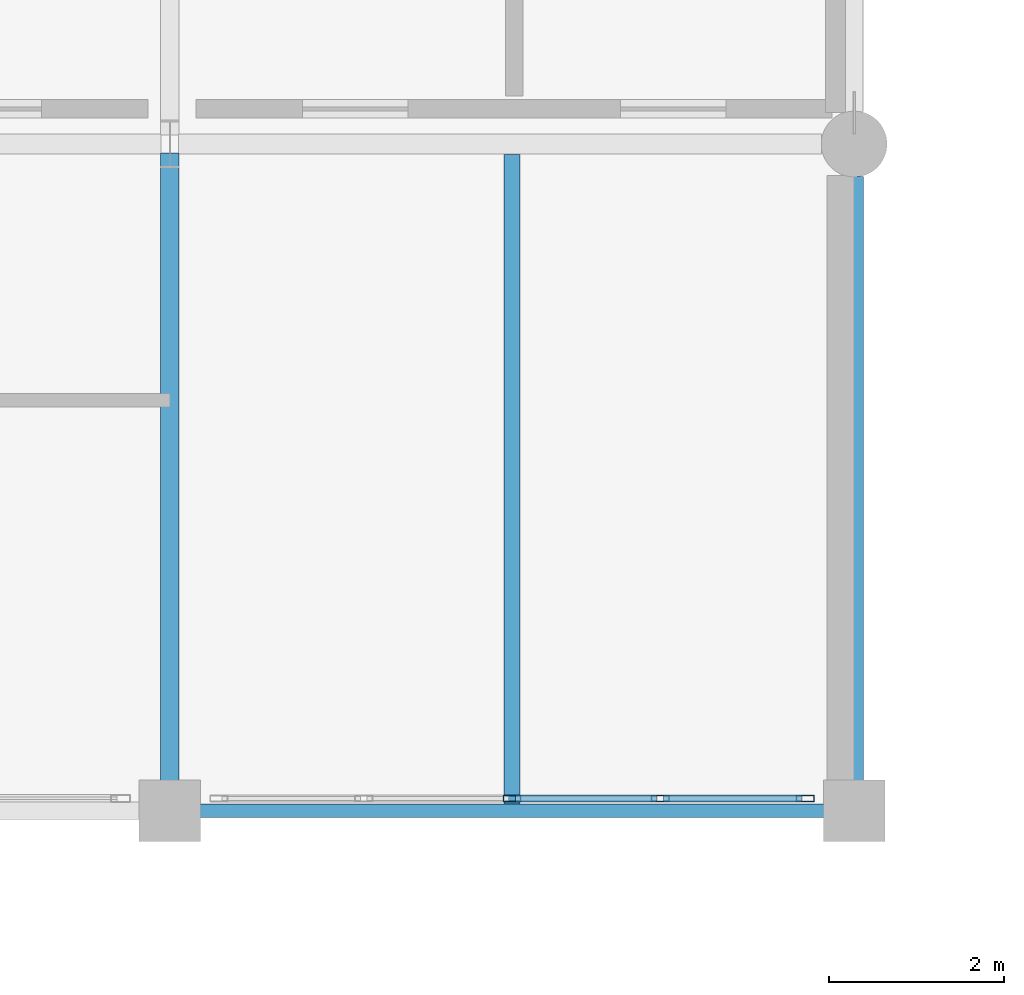
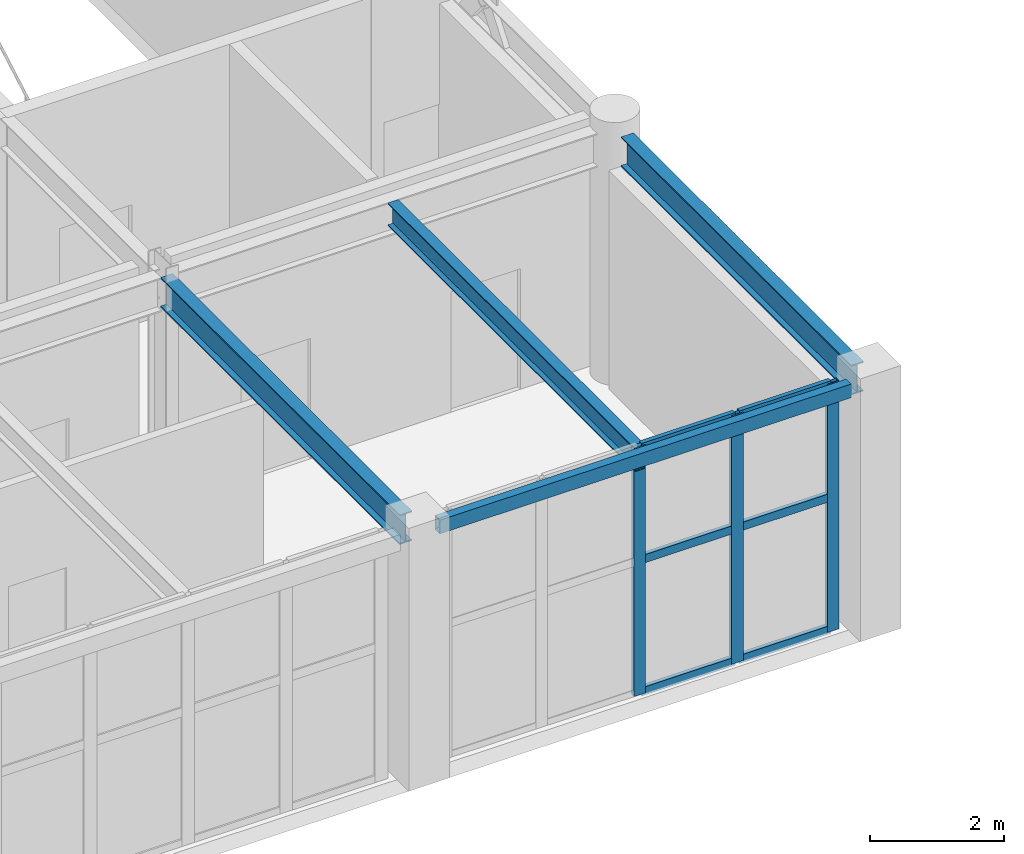
# One storey, part 43 of 72: 9 members, 4 beams, 1 element without a shape of its own.
"""IFC4 building model written with IfcOpenShell, lengths in metres."""

import ifcopenshell
import ifcopenshell.guid

model = None  # the IFC model being written
_history = None  # IfcOwnerHistory: only IFC2X3 demands one
_inside = {}  # id of a spatial element -> (the spatial element, [elements in it])
_under = {}  # id of a project, library or spatial element -> (it, [spatial elements below it])
_declared = {}  # id of a project -> (the project, [libraries it declares])
_typed = {}  # id of a type object -> (the type object, [elements of that type])
_made_of = {}  # id of a material, layer set ... -> (it, [elements and type objects made of it])


def new_model(schema):
    """Start an empty IFC model of exactly this schema.

    Asked for "IFC4X3", IfcOpenShell would pick the latest addendum, in which some entities
    have other attributes; the version numbers below select the first issue.
    IFC2X3 requires an IfcOwnerHistory on every rooted entity: one is made here for all.
    """
    global model, _history
    if schema == "IFC4X3":
        model = ifcopenshell.file(schema_version=(4, 3, 0, 0))
    else:
        model = ifcopenshell.file(schema=schema)
    _inside.clear()
    _under.clear()
    _declared.clear()
    _typed.clear()
    _made_of.clear()
    _history = None
    if model.schema == "IFC2X3":
        org = make("IfcOrganization", Name="unknown")
        user = make(
            "IfcPersonAndOrganization",
            ThePerson=make("IfcPerson", FamilyName="unknown"),
            TheOrganization=org,
        )
        app = make(
            "IfcApplication",
            ApplicationDeveloper=org,
            Version="unknown",
            ApplicationFullName="unknown",
            ApplicationIdentifier="unknown",
        )
        _history = make(
            "IfcOwnerHistory",
            OwningUser=user,
            OwningApplication=app,
            ChangeAction="ADDED",
            CreationDate=0,
        )
    return model


def make(cls, **values):
    """One entity of the class cls with the attributes given. An attribute that is None is left unset."""
    return model.create_entity(
        cls, **{name: value for name, value in values.items() if value is not None}
    )


def rooted(cls, **values):
    """An entity with a GlobalId (a new one), such as an element, a storey or a relation."""
    return make(cls, GlobalId=ifcopenshell.guid.new(), OwnerHistory=_history, **values)


def si_unit(unit_type, name, prefix=None):
    """IfcSIUnit, for example si_unit("LENGTHUNIT", "METRE", prefix="MILLI")."""
    return make("IfcSIUnit", UnitType=unit_type, Prefix=prefix, Name=name)


def assignment(units):
    """IfcUnitAssignment: the units of a project."""
    return None if units is None else make("IfcUnitAssignment", Units=units)


def point(xyz):
    """IfcCartesianPoint."""
    return None if xyz is None else make("IfcCartesianPoint", Coordinates=xyz)


def direction(xyz):
    """IfcDirection."""
    return None if xyz is None else make("IfcDirection", DirectionRatios=xyz)


def frame(location, z_axis=None, x_axis=None):
    """IfcAxis2Placement3D, a coordinate frame: its origin and axes. An axis left out is left unset."""
    return make(
        "IfcAxis2Placement3D",
        Location=point(location),
        Axis=direction(z_axis),
        RefDirection=direction(x_axis),
    )


def frame_2d(location, x_axis=None):
    """IfcAxis2Placement2D, a coordinate frame in the plane: its origin and x axis."""
    return make(
        "IfcAxis2Placement2D", Location=point(location), RefDirection=direction(x_axis)
    )


def origin():
    """The frame at (0, 0, 0) with its axes left unset."""
    return frame((0.0, 0.0, 0.0))


def origin_2d():
    """The frame at (0, 0) in the plane with its x axis left unset."""
    return frame_2d((0.0, 0.0))


def place(relative_to, where):
    """IfcLocalPlacement: puts the frame where relative to a parent placement (None: the world)."""
    return make(
        "IfcLocalPlacement", PlacementRelTo=relative_to, RelativePlacement=where
    )


def context(
    kind, dimensions, precision=None, world=None, true_north=None, identifier=None
):
    """IfcGeometricRepresentationContext, for example the 3D "Model" context."""
    return make(
        "IfcGeometricRepresentationContext",
        ContextIdentifier=identifier,
        ContextType=kind,
        CoordinateSpaceDimension=dimensions,
        Precision=precision,
        WorldCoordinateSystem=world,
        TrueNorth=true_north,
    )


def subcontext(parent, identifier, kind, view, scale=None):
    """IfcGeometricRepresentationSubContext, for example "Body" below "Model"."""
    return make(
        "IfcGeometricRepresentationSubContext",
        ContextIdentifier=identifier,
        ContextType=kind,
        ParentContext=parent,
        TargetScale=scale,
        TargetView=view,
    )


def project(units=None, contexts=None):
    """IfcProject with its units and contexts."""
    return rooted(
        "IfcProject",
        Name="project",
        RepresentationContexts=contexts,
        UnitsInContext=assignment(units),
    )


def spatial(cls, under=None, at=None, **own):
    """A site, building, storey or space (cls), placed at a placement, below another one or the project."""
    s = rooted(cls, ObjectPlacement=at, **own)
    if under is not None:
        _under.setdefault(under.id(), (under, []))[1].append(s)
    return s


def profile(cls, at=None, kind="AREA", **sizes):
    """A parametric profile (cls). Its sizes go by their IFC names, for example OverallWidth=200.0."""
    return make(cls, ProfileType=kind, Position=at, **sizes)


def hollow_rectangle(**sizes):
    """IfcRectangleHollowProfileDef."""
    return profile("IfcRectangleHollowProfileDef", **sizes)


def i_section(**sizes):
    """IfcIShapeProfileDef."""
    return profile("IfcIShapeProfileDef", **sizes)


def extrude(swept, where, along, depth):
    """IfcExtrudedAreaSolid: the profile swept, set in the frame where, extruded along a direction by depth."""
    return make(
        "IfcExtrudedAreaSolid",
        SweptArea=swept,
        Position=where,
        ExtrudedDirection=direction(along),
        Depth=depth,
    )


def shape(context_of_items, identifier, shape_type, items):
    """IfcShapeRepresentation: the items that make up one representation, for example the "Body"."""
    return make(
        "IfcShapeRepresentation",
        ContextOfItems=context_of_items,
        RepresentationIdentifier=identifier,
        RepresentationType=shape_type,
        Items=items,
    )


def material(Name=None, Category=None):
    """IfcMaterial."""
    return make("IfcMaterial", Name=Name, Category=Category)


def layer(
    of_material, thickness, ventilated=None, Name=None, Category=None, Priority=None
):
    """IfcMaterialLayer: one layer of a wall or slab, of a material (None: an air gap)."""
    return make(
        "IfcMaterialLayer",
        Material=of_material,
        LayerThickness=thickness,
        IsVentilated=ventilated,
        Name=Name,
        Category=Category,
        Priority=Priority,
    )


def layer_set(layers, Name=None):
    """IfcMaterialLayerSet."""
    return make("IfcMaterialLayerSet", MaterialLayers=layers, LayerSetName=Name)


def material_profile(
    of_material, cross_section, Name=None, Category=None, Priority=None
):
    """IfcMaterialProfile: a cross section and its material."""
    return make(
        "IfcMaterialProfile",
        Name=Name,
        Material=of_material,
        Profile=cross_section,
        Priority=Priority,
        Category=Category,
    )


def profile_set(profiles, Name=None, composite=None):
    """IfcMaterialProfileSet."""
    return make(
        "IfcMaterialProfileSet",
        Name=Name,
        MaterialProfiles=profiles,
        CompositeProfile=composite,
    )


def made_of(thing, what):
    """Note that an element or type object is made of a material, layer set ...; save() writes the relation."""
    if what is not None:
        _made_of.setdefault(what.id(), (what, []))[1].append(thing)
    return thing


def type_object(cls, material=None, **own):
    """A type object (cls), such as IfcWallType, which elements share."""
    return made_of(rooted(cls, **own), material)


def element(
    cls,
    number,
    at=None,
    inside=None,
    cuts=None,
    type_object=None,
    material=None,
    context=None,
    identifier="Body",
    shape_type=None,
    held_by="IfcProductDefinitionShape",
    body=None,
    shapes=None,
    **own,
):
    """One element of the class cls, such as IfcWall. Its Tag is "e" and its number.

    at: its placement. inside: the storey or other place that contains it. cuts: it is an
    opening in that element (IfcRelVoidsElement). A single representation is given by context,
    identifier, shape_type and body (its items); several are given by shapes. held_by: the class
    of the entity that holds the representations. save() writes the other relations.
    """
    e = rooted(cls, Tag="e%d" % number, ObjectPlacement=at, **own)
    if body is not None:
        shapes = [shape(context, identifier, shape_type, body)]
    if shapes is not None:
        e.Representation = make(held_by, Representations=shapes)
    if inside is not None:
        _inside.setdefault(inside.id(), (inside, []))[1].append(e)
    if cuts is not None:
        rooted(
            "IfcRelVoidsElement", RelatingBuildingElement=cuts, RelatedOpeningElement=e
        )
    if type_object is not None:
        _typed.setdefault(type_object.id(), (type_object, []))[1].append(e)
    return made_of(e, material)


def aggregate(whole, parts):
    """IfcRelAggregates: a whole, such as a stair, and the parts it consists of."""
    return rooted("IfcRelAggregates", RelatingObject=whole, RelatedObjects=parts)


def save(model, path):
    """Write the relations noted so far, then the file.

    IfcRelAggregates (storeys below a building ...), IfcRelContainedInSpatialStructure (elements
    in a storey), IfcRelDefinesByType, IfcRelAssociatesMaterial and IfcRelDeclares: one each for
    every whole, place, type object, material and project.
    """
    for whole, parts in _under.values():
        aggregate(whole, parts)
    for where, things in _inside.values():
        rooted(
            "IfcRelContainedInSpatialStructure",
            RelatedElements=things,
            RelatingStructure=where,
        )
    for kind, things in _typed.values():
        rooted("IfcRelDefinesByType", RelatedObjects=things, RelatingType=kind)
    for what, things in _made_of.values():
        rooted("IfcRelAssociatesMaterial", RelatedObjects=things, RelatingMaterial=what)
    for by, libraries in _declared.values():
        rooted("IfcRelDeclares", RelatingContext=by, RelatedDefinitions=libraries)
    model.write(path)


model = new_model("IFC4")

# Units and contexts
model_context = context("Model", 3, precision=1e-05, world=origin(), true_north=direction((0.0, 1.0)))
body_context = subcontext(model_context, "Body", "Model", "MODEL_VIEW")
ifc_project = project(units=[si_unit("LENGTHUNIT", "METRE"), si_unit("AREAUNIT", "SQUARE_METRE"), si_unit("VOLUMEUNIT", "CUBIC_METRE"), si_unit("PLANEANGLEUNIT", "RADIAN"), si_unit("MASSUNIT", "GRAM", prefix="KILO")], contexts=[model_context])

# Site, building, storey
site_placement = place(None, origin())
site = spatial("IfcSite", under=ifc_project, at=site_placement, CompositionType="ELEMENT")
building_placement = place(site_placement, origin())
building = spatial("IfcBuilding", under=site, at=building_placement, Name="Xicomal Pleat Aquarium", CompositionType="ELEMENT")
storey_placement = place(building_placement, frame((0.0, 0.0, 10.5)))
storey = spatial("IfcBuildingStorey", under=building, at=storey_placement, Name="L03", CompositionType="ELEMENT", Elevation=10.5)

# Beams
ifc_material_1 = material(Name="Structural steel A992 Gr 50", Category="steel")
ifc_material_profile_1 = material_profile(ifc_material_1, i_section(OverallWidth=0.180908203125, OverallDepth=0.4169921875, WebThickness=0.010986328125, FlangeThickness=0.018310546875, at=origin_2d()), Name="IR 410x85")
ifc_profile_set_1 = profile_set([ifc_material_profile_1], Name="Structural steel A992 Gr 50")
beam_type_1 = type_object("IfcBeamType", Name="BM-STL-IR410", PredefinedType="JOIST", material=ifc_profile_set_1)
beam_1_placement = place(storey_placement, frame((153.300048828125, 76.077880859375, 4.33154296875), z_axis=(0.0, 1.0, 0.0), x_axis=(-1.0, 0.0, 0.0)))
element("IfcBeam", 1, at=beam_1_placement, inside=storey, type_object=beam_type_1, Name="L03 framing beam FBJ-L03-19-L-1", PredefinedType="JOIST", context=body_context, shape_type="SweptSolid", body=[
    extrude(i_section(OverallWidth=0.180908203125, OverallDepth=0.4169921875, WebThickness=0.010986328125, FlangeThickness=0.018310546875, at=origin_2d()), origin(), (0.0, 0.0, 1.0), 7.404052734375),
])
ifc_material_2 = material(Name="Structural steel A992 Gr 50", Category="steel")
ifc_material_profile_2 = material_profile(ifc_material_2, i_section(OverallWidth=0.2119140625, OverallDepth=0.5439453125, WebThickness=0.01318359375, FlangeThickness=0.021240234375, at=origin_2d()), Name="IR 530x123")
ifc_profile_set_2 = profile_set([ifc_material_profile_2], Name="Structural steel A992 Gr 50")
beam_type_2 = type_object("IfcBeamType", Name="BM-STL-IR530", PredefinedType="BEAM", material=ifc_profile_set_2)
beam_2_placement = place(storey_placement, frame((149.39990234375, 76.344970703125, 4.26806640625), z_axis=(0.0, 1.0, 0.0), x_axis=(-1.0, 0.0, 0.0)))
element("IfcBeam", 2, at=beam_2_placement, inside=storey, type_object=beam_type_2, Name="L03 framing beam FGY-L03-19-L-M", PredefinedType="BEAM", context=body_context, shape_type="SweptSolid", body=[
    extrude(i_section(OverallWidth=0.2119140625, OverallDepth=0.5439453125, WebThickness=0.01318359375, FlangeThickness=0.021240234375, at=origin_2d()), origin(), (0.0, 0.0, 1.0), 7.154052734375),
])
beam_3_placement = place(storey_placement, frame((157.199951171875, 76.344970703125, 4.26806640625), z_axis=(0.0, 1.0, 0.0), x_axis=(-1.0, 0.0, 0.0)))
element("IfcBeam", 3, at=beam_3_placement, inside=storey, type_object=beam_type_2, Name="L03 framing beam FGY-L03-20-L-M", PredefinedType="BEAM", context=body_context, shape_type="SweptSolid", body=[
    extrude(i_section(OverallWidth=0.2119140625, OverallDepth=0.5439453125, WebThickness=0.01318359375, FlangeThickness=0.021240234375, at=origin_2d()), origin(), (0.0, 0.0, 1.0), 6.885009765625),
])
ifc_material_3 = material(Name="Structural steel A500 Gr C", Category="steel")
ifc_material_profile_3 = material_profile(ifc_material_3, hollow_rectangle(XDim=0.14990234375, YDim=0.25, WallThickness=0.010009765625, at=origin_2d()), Name="OR 250x150x10")
ifc_profile_set_3 = profile_set([ifc_material_profile_3], Name="Structural steel A500 Gr C")
beam_type_3 = type_object("IfcBeamType", Name="BM-STL-OR250", PredefinedType="SPANDREL", material=ifc_profile_set_3)
beam_4_placement = place(storey_placement, frame((149.7451171875, 76.0, 4.4150390625), z_axis=(1.0, 0.0, 0.0), x_axis=(0.0, 1.0, 0.0)))
element("IfcBeam", 4, at=beam_4_placement, inside=storey, type_object=beam_type_3, Name="L03 framing beam FGX-L03-19-20-L", PredefinedType="SPANDREL", context=body_context, shape_type="SweptSolid", body=[
    extrude(hollow_rectangle(XDim=0.14990234375, YDim=0.25, WallThickness=0.010009765625, at=origin_2d()), origin(), (0.0, 0.0, 1.0), 7.10986328125),
])

# Curtain wall, members
ifc_material_4 = material(Name="Bronze anodized aluminium 6063-T6", Category="aluminium")
ifc_layer = layer(ifc_material_4, 0.159912109375)
ifc_layer_set = layer_set([ifc_layer], Name="Bronze anodized aluminium 6063-T6")
curtain_wall_type = type_object("IfcCurtainWallType", Name="CW-SYS-08", PredefinedType="NOTDEFINED", material=ifc_layer_set)
curtain_wall_placement = place(storey_placement, origin())
curtain_wall = element("IfcCurtainWall", 5, at=curtain_wall_placement, inside=storey, type_object=curtain_wall_type, Name="L03 unitised curtain wall CW-L03-151", PredefinedType="NOTDEFINED")
ifc_material_5 = material(Name="Bronze anodized aluminium 6063-T6", Category="aluminium")
ifc_material_profile_4 = material_profile(ifc_material_5, hollow_rectangle(XDim=0.074951171875, YDim=0.199951171875, WallThickness=0.00439453125, at=origin_2d()), Name="ALU MULL 75x200")
ifc_profile_set_4 = profile_set([ifc_material_profile_4], Name="Bronze anodized aluminium 6063-T6")
member_type_1 = type_object("IfcMemberType", Name="CWM-75x200", PredefinedType="MULLION", material=ifc_profile_set_4)
member_1_placement = place(storey_placement, frame((156.642578125, 76.139892578125, 0.0), z_axis=(0.0, 0.0, 1.0), x_axis=(0.0, -1.0, 0.0)))
member_1 = element("IfcMember", 6, at=member_1_placement, type_object=member_type_1, Name="CW-08 mullion 1", PredefinedType="MULLION", context=body_context, shape_type="SweptSolid", body=[
    extrude(hollow_rectangle(XDim=0.074951171875, YDim=0.199951171875, WallThickness=0.00439453125, at=origin_2d()), origin(), (0.0, 0.0, 1.0), 4.5400390625),
])
member_2_placement = place(storey_placement, frame((154.989990234375, 76.139892578125, 0.0), z_axis=(0.0, 0.0, 1.0), x_axis=(0.0, -1.0, 0.0)))
member_2 = element("IfcMember", 7, at=member_2_placement, type_object=member_type_1, Name="CW-08 mullion 2", PredefinedType="MULLION", context=body_context, shape_type="SweptSolid", body=[
    extrude(hollow_rectangle(XDim=0.074951171875, YDim=0.199951171875, WallThickness=0.00439453125, at=origin_2d()), origin(), (0.0, 0.0, 1.0), 4.5400390625),
])
member_3_placement = place(storey_placement, frame((153.300048828125, 76.139892578125, 0.0), z_axis=(0.0, 0.0, 1.0), x_axis=(0.0, -1.0, 0.0)))
member_3 = element("IfcMember", 8, at=member_3_placement, type_object=member_type_1, Name="CW-08 mullion 3", PredefinedType="MULLION", context=body_context, shape_type="SweptSolid", body=[
    extrude(hollow_rectangle(XDim=0.074951171875, YDim=0.199951171875, WallThickness=0.00439453125, at=origin_2d()), origin(), (0.0, 0.0, 1.0), 4.5400390625),
])
ifc_material_6 = material(Name="Bronze anodized aluminium 6063-T6", Category="aluminium")
ifc_material_profile_5 = material_profile(ifc_material_6, hollow_rectangle(XDim=0.074951171875, YDim=0.14990234375, WallThickness=0.00439453125, at=origin_2d()), Name="ALU TRAN 75x150")
ifc_profile_set_5 = profile_set([ifc_material_profile_5], Name="Bronze anodized aluminium 6063-T6")
member_type_2 = type_object("IfcMemberType", Name="CWT-75x150", PredefinedType="USERDEFINED", material=ifc_profile_set_5)
member_4_placement = place(storey_placement, frame((156.60498046875, 76.139892578125, 0.03759765625), z_axis=(-1.0, 0.0, 0.0), x_axis=(0.0, -1.0, 0.0)))
member_4 = element("IfcMember", 9, at=member_4_placement, type_object=member_type_2, Name="CW-08 transom 1.1", ObjectType="TRANSOM", PredefinedType="USERDEFINED", context=body_context, shape_type="SweptSolid", body=[
    extrude(hollow_rectangle(XDim=0.074951171875, YDim=0.14990234375, WallThickness=0.00439453125, at=origin_2d()), origin(), (0.0, 0.0, 1.0), 1.577392578125),
])
member_5_placement = place(storey_placement, frame((156.60498046875, 76.139892578125, 2.451904296875), z_axis=(-1.0, 0.0, 0.0), x_axis=(0.0, -1.0, 0.0)))
member_5 = element("IfcMember", 10, at=member_5_placement, type_object=member_type_2, Name="CW-08 transom 1.2", ObjectType="TRANSOM", PredefinedType="USERDEFINED", context=body_context, shape_type="SweptSolid", body=[
    extrude(hollow_rectangle(XDim=0.074951171875, YDim=0.14990234375, WallThickness=0.00439453125, at=origin_2d()), origin(), (0.0, 0.0, 1.0), 1.577392578125),
])
member_6_placement = place(storey_placement, frame((156.60498046875, 76.139892578125, 4.50244140625), z_axis=(-1.0, 0.0, 0.0), x_axis=(0.0, -1.0, 0.0)))
member_6 = element("IfcMember", 11, at=member_6_placement, type_object=member_type_2, Name="CW-08 transom 1.3", ObjectType="TRANSOM", PredefinedType="USERDEFINED", context=body_context, shape_type="SweptSolid", body=[
    extrude(hollow_rectangle(XDim=0.074951171875, YDim=0.14990234375, WallThickness=0.00439453125, at=origin_2d()), origin(), (0.0, 0.0, 1.0), 1.577392578125),
])
member_7_placement = place(storey_placement, frame((154.952392578125, 76.139892578125, 0.03759765625), z_axis=(-1.0, 0.0, 0.0), x_axis=(0.0, -1.0, 0.0)))
member_7 = element("IfcMember", 12, at=member_7_placement, type_object=member_type_2, Name="CW-08 transom 2.1", ObjectType="TRANSOM", PredefinedType="USERDEFINED", context=body_context, shape_type="SweptSolid", body=[
    extrude(hollow_rectangle(XDim=0.074951171875, YDim=0.14990234375, WallThickness=0.00439453125, at=origin_2d()), origin(), (0.0, 0.0, 1.0), 1.614990234375),
])
member_8_placement = place(storey_placement, frame((154.952392578125, 76.139892578125, 2.451904296875), z_axis=(-1.0, 0.0, 0.0), x_axis=(0.0, -1.0, 0.0)))
member_8 = element("IfcMember", 13, at=member_8_placement, type_object=member_type_2, Name="CW-08 transom 2.2", ObjectType="TRANSOM", PredefinedType="USERDEFINED", context=body_context, shape_type="SweptSolid", body=[
    extrude(hollow_rectangle(XDim=0.074951171875, YDim=0.14990234375, WallThickness=0.00439453125, at=origin_2d()), origin(), (0.0, 0.0, 1.0), 1.614990234375),
])
member_9_placement = place(storey_placement, frame((154.952392578125, 76.139892578125, 4.50244140625), z_axis=(-1.0, 0.0, 0.0), x_axis=(0.0, -1.0, 0.0)))
member_9 = element("IfcMember", 14, at=member_9_placement, type_object=member_type_2, Name="CW-08 transom 2.3", ObjectType="TRANSOM", PredefinedType="USERDEFINED", context=body_context, shape_type="SweptSolid", body=[
    extrude(hollow_rectangle(XDim=0.074951171875, YDim=0.14990234375, WallThickness=0.00439453125, at=origin_2d()), origin(), (0.0, 0.0, 1.0), 1.614990234375),
])
aggregate(curtain_wall, [member_1, member_2, member_3, member_4, member_5, member_6, member_7, member_8, member_9])

save(model, "model.ifc")
